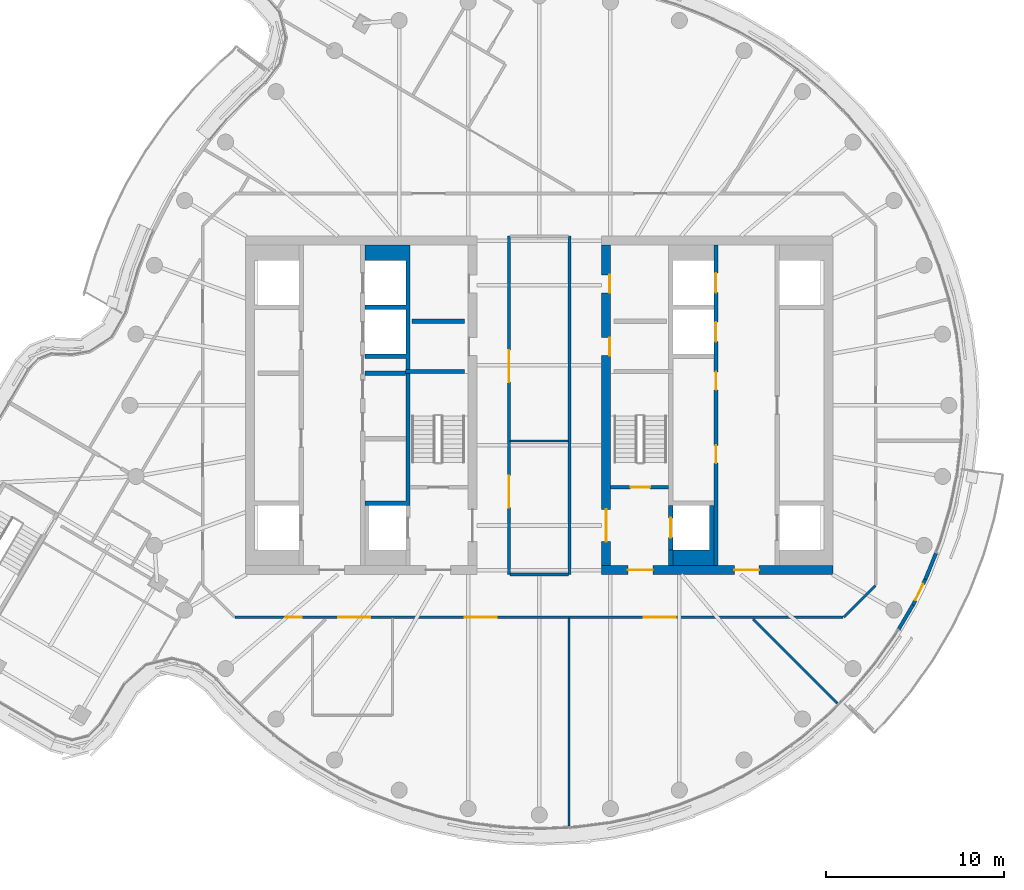
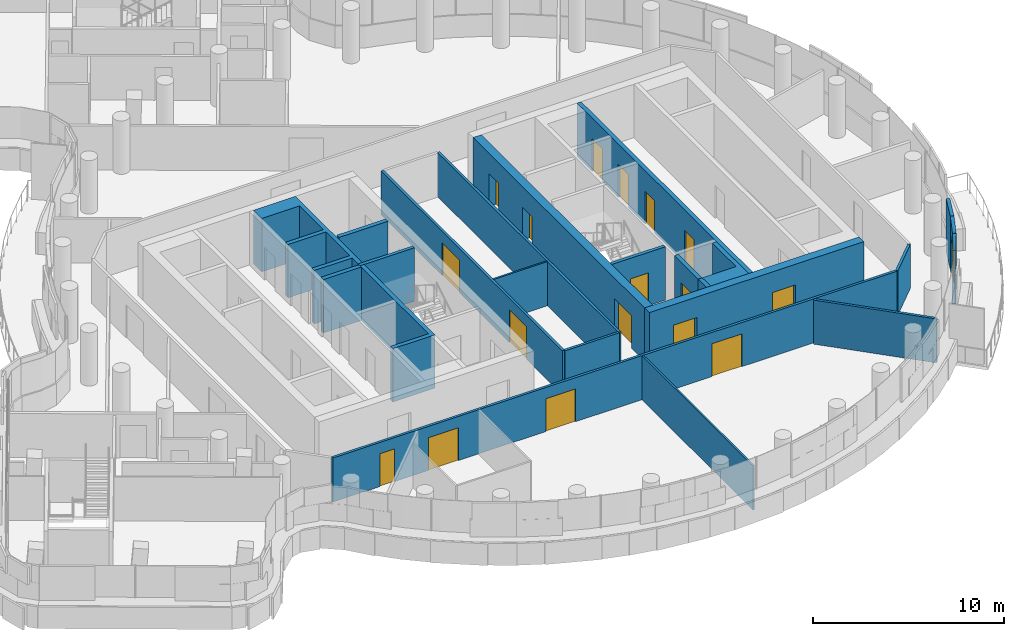
# One storey, part 18 of 26: 22 walls, 18 doors, 18 openings.
"""IFC4 building model written with IfcOpenShell, lengths in metres."""

from ifc_helpers import new_model, si_unit, direction, frame, frame_2d, origin, place, context, subcontext, project, spatial, polyline, rectangle, outline, extrude, material, layer, layer_set, type_object, element, fill, save


model = new_model("IFC4")

# Units and contexts
model_context = context("Model", 3, precision=1e-05, world=origin(), true_north=direction((0.0, 1.0)))
body_context = subcontext(model_context, "Body", "Model", "MODEL_VIEW")
ifc_project = project(units=[si_unit("LENGTHUNIT", "METRE"), si_unit("AREAUNIT", "SQUARE_METRE"), si_unit("VOLUMEUNIT", "CUBIC_METRE"), si_unit("PLANEANGLEUNIT", "RADIAN"), si_unit("MASSUNIT", "GRAM", prefix="KILO")], contexts=[model_context])

# Site, building, storey
site_placement = place(None, origin())
site = spatial("IfcSite", under=ifc_project, at=site_placement, CompositionType="ELEMENT")
building_placement = place(site_placement, origin())
building = spatial("IfcBuilding", under=site, at=building_placement, Name="Tamarind Cross Interchange Tower", CompositionType="ELEMENT")
storey_placement = place(building_placement, frame((0.0, 0.0, 248.699951171875)))
storey = spatial("IfcBuildingStorey", under=building, at=storey_placement, Name="L63", CompositionType="ELEMENT", Elevation=248.699951171875)

# Walls
ifc_material_1 = material(Name="Concrete C40", Category="concrete")
ifc_layer_1 = layer(ifc_material_1, 0.199951171875)
ifc_layer_set_1 = layer_set([ifc_layer_1], Name="Concrete C40")
wall_type_1 = type_object("IfcWallType", Name="Balcony and garden door wall", PredefinedType="SOLIDWALL", material=ifc_layer_set_1)
wall_1_placement = place(storey_placement, frame((20.182861328125, -12.580322265625, 0.0), z_axis=(0.0, 0.0, 1.0), x_axis=(0.50690596754, 0.86200135735, 0.0)))
element("IfcWall", 1, at=wall_1_placement, inside=storey, type_object=wall_type_1, Name="EXW-L63-01-D11L", PredefinedType="SOLIDWALL", context=body_context, shape_type="SweptSolid", body=[
    extrude(rectangle(XDim=1.5888671875, YDim=0.199951171875, at=frame_2d((0.79443359375, 0.0))), origin(), (0.0, 0.0, 1.0), 3.420166015625),
])
wall_2_placement = place(storey_placement, frame((21.684814453125, -9.770263671875, 0.0), z_axis=(0.0, 0.0, 1.0), x_axis=(0.375865678764, 0.92667415607, 0.0)))
element("IfcWall", 2, at=wall_2_placement, inside=storey, type_object=wall_type_1, Name="EXW-L63-01-D11R", PredefinedType="SOLIDWALL", context=body_context, shape_type="SweptSolid", body=[
    extrude(rectangle(XDim=1.588134765625, YDim=0.199951171875, at=frame_2d((0.7939453125, 0.0))), origin(), (0.0, 0.0, 1.0), 3.420166015625),
])

# Wall, opening, door
wall_3_placement = place(storey_placement, frame((20.98828125, -11.210693359375, 0.0), z_axis=(0.0, 0.0, 1.0), x_axis=(0.435333576099, 0.900269225021, 0.0)))
wall_3 = element("IfcWall", 3, at=wall_3_placement, inside=storey, type_object=wall_type_1, Name="EXW-L63-01-D11", PredefinedType="SOLIDWALL", context=body_context, shape_type="SweptSolid", body=[
    extrude(rectangle(XDim=1.60009765625, YDim=0.199951171875, at=frame_2d((0.800048828125, 0.0))), origin(), (0.0, 0.0, 1.0), 3.420166015625),
])
opening_1_placement = place(wall_3_placement, frame((0.300048828125, 0.0, 0.0)))
opening_1 = element("IfcOpeningElement", 4, at=opening_1_placement, cuts=wall_3, Name="Opening D2", PredefinedType="OPENING", context=body_context, shape_type="SweptSolid", body=[
    extrude(rectangle(XDim=1.0, YDim=2.39990234375, at=frame_2d((0.5, 1.199951171875))), frame((0.0, 0.10986328125, 0.0), z_axis=(0.0, -1.0, 0.0), x_axis=(1.0, 0.0, 0.0)), (0.0, 0.0, 1.0), 0.219970703125),
])
ifc_material_2 = material(Name="Aluminium and toughened glass", Category="aluminium")
door_type_1 = type_object("IfcDoorType", Name="Balcony and garden door", OperationType="SINGLE_SWING_LEFT", PredefinedType="DOOR", material=ifc_material_2)
door_1_placement = place(opening_1_placement, origin())
door_1 = element("IfcDoor", 5, at=door_1_placement, inside=storey, type_object=door_type_1, Name="DOR-L63-01-11", OperationType="SINGLE_SWING_LEFT", OverallHeight=2.39990234375, OverallWidth=1.0, PredefinedType="DOOR", context=body_context, shape_type="SweptSolid", body=[
    extrude(rectangle(XDim=1.0, YDim=2.39990234375, at=frame_2d((0.5, 1.199951171875))), frame((0.0, 0.02490234375, 0.0), z_axis=(0.0, -1.0, 0.0), x_axis=(1.0, 0.0, 0.0)), (0.0, 0.0, 1.0), 0.050048828125),
])
fill(opening_1, door_1)

# Wall, openings, doors
ifc_material_3 = material(Name="Concrete C50", Category="concrete")
ifc_layer_2 = layer(ifc_material_3, 0.5)
ifc_layer_set_2 = layer_set([ifc_layer_2], Name="Concrete C50")
wall_type_2 = type_object("IfcWallType", Name="Core wall 500 mm Concrete C50", PredefinedType="SHEAR", material=ifc_layer_set_2)
wall_4_placement = place(storey_placement, frame((16.5, -9.25, 0.0), z_axis=(0.0, 0.0, 1.0), x_axis=(-1.0, 0.0, 0.0)))
wall_4 = element("IfcWall", 6, at=wall_4_placement, inside=storey, type_object=wall_type_2, Name="Core wall CWL-L63-E-S", PredefinedType="SHEAR", context=body_context, shape_type="SweptSolid", body=[
    extrude(rectangle(XDim=13.0, YDim=0.5, at=frame_2d((6.5, 0.0))), origin(), (0.0, 0.0, 1.0), 3.420166015625),
])
opening_2_placement = place(wall_4_placement, frame((4.14990234375, 0.0, 0.0)))
opening_2 = element("IfcOpeningElement", 7, at=opening_2_placement, cuts=wall_4, Name="Opening DCE1", PredefinedType="OPENING", context=body_context, shape_type="SweptSolid", body=[
    extrude(rectangle(XDim=1.39990234375, YDim=2.10009765625, at=frame_2d((0.699951171875, 1.050048828125))), frame((0.0, 0.260009765625, 0.0), z_axis=(0.0, -1.0, 0.0), x_axis=(1.0, 0.0, 0.0)), (0.0, 0.0, 1.0), 0.52001953125),
])
opening_3_placement = place(wall_4_placement, frame((10.125, 0.0, 0.0)))
opening_3 = element("IfcOpeningElement", 8, at=opening_3_placement, cuts=wall_4, Name="Opening DCEF", PredefinedType="OPENING", context=body_context, shape_type="SweptSolid", body=[
    extrude(rectangle(XDim=1.39990234375, YDim=2.10009765625, at=frame_2d((0.699951171875, 1.050048828125))), frame((0.0, 0.260009765625, 0.0), z_axis=(0.0, -1.0, 0.0), x_axis=(1.0, 0.0, 0.0)), (0.0, 0.0, 1.0), 0.52001953125),
])
ifc_material_4 = material(Name="Steel, fire-resisting", Category="steel")
door_type_2 = type_object("IfcDoorType", Name="Core fire door 1400 x 2100 FD90", OperationType="SINGLE_SWING_LEFT", PredefinedType="DOOR", material=ifc_material_4)
door_2_placement = place(opening_2_placement, origin())
door_2 = element("IfcDoor", 9, at=door_2_placement, inside=storey, type_object=door_type_2, Name="L63 lift lobby door", OperationType="SINGLE_SWING_LEFT", OverallHeight=2.10009765625, OverallWidth=1.39990234375, PredefinedType="DOOR", context=body_context, shape_type="SweptSolid", body=[
    extrude(rectangle(XDim=1.39990234375, YDim=2.10009765625, at=frame_2d((0.699951171875, 1.050048828125))), frame((0.0, 0.02490234375, 0.0), z_axis=(0.0, -1.0, 0.0), x_axis=(1.0, 0.0, 0.0)), (0.0, 0.0, 1.0), 0.050048828125),
])
fill(opening_2, door_2)
door_3_placement = place(opening_3_placement, origin())
door_3 = element("IfcDoor", 10, at=door_3_placement, inside=storey, type_object=door_type_2, Name="L63 firefighting lobby end door", OperationType="SINGLE_SWING_LEFT", OverallHeight=2.10009765625, OverallWidth=1.39990234375, PredefinedType="DOOR", context=body_context, shape_type="SweptSolid", body=[
    extrude(rectangle(XDim=1.39990234375, YDim=2.10009765625, at=frame_2d((0.699951171875, 1.050048828125))), frame((0.0, 0.02490234375, 0.0), z_axis=(0.0, -1.0, 0.0), x_axis=(1.0, 0.0, 0.0)), (0.0, 0.0, 1.0), 0.050048828125),
])
fill(opening_3, door_3)

wall_5_placement = place(storey_placement, frame((3.75, -9.0, 0.0), z_axis=(0.0, 0.0, 1.0), x_axis=(0.0, 1.0, 0.0)))
wall_5 = element("IfcWall", 11, at=wall_5_placement, inside=storey, type_object=wall_type_2, Name="Core wall CWL-L63-E-IN", PredefinedType="SHEAR", context=body_context, shape_type="SweptSolid", body=[
    extrude(rectangle(XDim=18.0, YDim=0.5, at=frame_2d((9.0, 0.0))), origin(), (0.0, 0.0, 1.0), 3.420166015625),
])
opening_4_placement = place(wall_5_placement, frame((1.35009765625, 0.0, 0.0)))
opening_4 = element("IfcOpeningElement", 12, at=opening_4_placement, cuts=wall_5, Name="Opening DCE4", PredefinedType="OPENING", context=body_context, shape_type="SweptSolid", body=[
    extrude(rectangle(XDim=1.800048828125, YDim=2.10009765625, at=frame_2d((0.89990234375, 1.050048828125))), frame((0.0, 0.260009765625, 0.0), z_axis=(0.0, -1.0, 0.0), x_axis=(1.0, 0.0, 0.0)), (0.0, 0.0, 1.0), 0.52001953125),
])
opening_5_placement = place(wall_5_placement, frame((11.797607421875, 0.0, 0.0)))
opening_5 = element("IfcOpeningElement", 13, at=opening_5_placement, cuts=wall_5, Name="Opening DCE5", PredefinedType="OPENING", context=body_context, shape_type="SweptSolid", body=[
    extrude(rectangle(XDim=1.0, YDim=2.10009765625, at=frame_2d((0.5, 1.050048828125))), frame((0.0, 0.260009765625, 0.0), z_axis=(0.0, -1.0, 0.0), x_axis=(1.0, 0.0, 0.0)), (0.0, 0.0, 1.0), 0.52001953125),
])
opening_6_placement = place(wall_5_placement, frame((15.322509765625, 0.0, 0.0)))
opening_6 = element("IfcOpeningElement", 14, at=opening_6_placement, cuts=wall_5, Name="Opening DCE5", PredefinedType="OPENING", context=body_context, shape_type="SweptSolid", body=[
    extrude(rectangle(XDim=1.0, YDim=2.10009765625, at=frame_2d((0.5, 1.050048828125))), frame((0.0, 0.260009765625, 0.0), z_axis=(0.0, -1.0, 0.0), x_axis=(1.0, 0.0, 0.0)), (0.0, 0.0, 1.0), 0.52001953125),
])
door_type_3 = type_object("IfcDoorType", Name="Core fire door 1000 x 2100 FD90", OperationType="SINGLE_SWING_LEFT", PredefinedType="DOOR", material=ifc_material_4)
door_4_placement = place(opening_5_placement, origin())
door_4 = element("IfcDoor", 15, at=door_4_placement, inside=storey, type_object=door_type_3, Name="L63 linen press door", OperationType="SINGLE_SWING_LEFT", OverallHeight=2.10009765625, OverallWidth=1.0, PredefinedType="DOOR", context=body_context, shape_type="SweptSolid", body=[
    extrude(rectangle(XDim=1.0, YDim=2.10009765625, at=frame_2d((0.5, 1.050048828125))), frame((0.0, -0.1748046875, 0.0), z_axis=(0.0, -1.0, 0.0), x_axis=(1.0, 0.0, 0.0)), (0.0, 0.0, 1.0), 0.050048828125),
])
fill(opening_5, door_4)
door_5_placement = place(opening_6_placement, origin())
door_5 = element("IfcDoor", 16, at=door_5_placement, inside=storey, type_object=door_type_3, Name="L63 housekeeping pantry door", OperationType="SINGLE_SWING_LEFT", OverallHeight=2.10009765625, OverallWidth=1.0, PredefinedType="DOOR", context=body_context, shape_type="SweptSolid", body=[
    extrude(rectangle(XDim=1.0, YDim=2.10009765625, at=frame_2d((0.5, 1.050048828125))), frame((0.0, -0.1748046875, 0.0), z_axis=(0.0, -1.0, 0.0), x_axis=(1.0, 0.0, 0.0)), (0.0, 0.0, 1.0), 0.050048828125),
])
fill(opening_6, door_5)
door_type_4 = type_object("IfcDoorType", Name="Core fire door 1800 x 2100 FD90", OperationType="SINGLE_SWING_LEFT", PredefinedType="DOOR", material=ifc_material_4)
door_6_placement = place(opening_4_placement, origin())
door_6 = element("IfcDoor", 17, at=door_6_placement, inside=storey, type_object=door_type_4, Name="L63 firefighting lobby door", OperationType="SINGLE_SWING_LEFT", OverallHeight=2.10009765625, OverallWidth=1.800048828125, PredefinedType="DOOR", context=body_context, shape_type="SweptSolid", body=[
    extrude(rectangle(XDim=1.800048828125, YDim=2.10009765625, at=frame_2d((0.89990234375, 1.050048828125))), frame((0.0, 0.02490234375, 0.0), z_axis=(0.0, -1.0, 0.0), x_axis=(1.0, 0.0, 0.0)), (0.0, 0.0, 1.0), 0.050048828125),
])
fill(opening_4, door_6)

# Walls
ifc_layer_3 = layer(ifc_material_3, 0.199951171875)
ifc_layer_set_3 = layer_set([ifc_layer_3], Name="Concrete C50")
wall_type_3 = type_object("IfcWallType", Name="Core web wall 200 mm Concrete C50", PredefinedType="SHEAR", material=ifc_layer_set_3)
wall_6_placement = place(storey_placement, frame((-7.5, 1.89990234375, 0.0), z_axis=(0.0, 0.0, 1.0), x_axis=(1.0, 0.0, 0.0)))
element("IfcWall", 18, at=wall_6_placement, inside=storey, type_object=wall_type_3, Name="Core wall CWL-L63-W-BD", PredefinedType="SHEAR", context=body_context, shape_type="SweptSolid", body=[
    extrude(rectangle(XDim=3.300048828125, YDim=0.199951171875, at=frame_2d((1.64990234375, 0.0))), origin(), (0.0, 0.0, 1.0), 3.420166015625),
])
ifc_layer_4 = layer(ifc_material_3, 0.25)
ifc_layer_set_4 = layer_set([ifc_layer_4], Name="Concrete C50")
wall_type_4 = type_object("IfcWallType", Name="Core web wall 250 mm Concrete C50", PredefinedType="SHEAR", material=ifc_layer_set_4)
wall_7_placement = place(storey_placement, origin())
element("IfcWall", 19, at=wall_7_placement, inside=storey, type_object=wall_type_4, Name="Core wall CWL-L63-W-BN", PredefinedType="SHEAR", context=body_context, shape_type="SweptSolid", body=[
    extrude(outline(polyline([(-9.800048828125, -5.375), (-9.800048828125, -5.625), (-7.5, -5.625), (-7.25, -5.625), (-7.25, 9.0), (-7.5, 9.0), (-9.800048828125, 9.0), (-9.800048828125, 8.125), (-7.5, 8.125), (-7.5, 5.625), (-9.800048828125, 5.625), (-9.800048828125, 5.375), (-7.5, 5.375), (-7.5, 2.875), (-9.800048828125, 2.875), (-9.800048828125, 2.625), (-7.5, 2.625), (-7.5, -5.375), (-9.800048828125, -5.375)])), origin(), (0.0, 0.0, 1.0), 3.420166015625),
])
wall_8_placement = place(storey_placement, origin())
element("IfcWall", 20, at=wall_8_placement, inside=storey, type_object=wall_type_4, Name="Core wall CWL-L63-E-BS", PredefinedType="SHEAR", context=body_context, shape_type="SweptSolid", body=[
    extrude(outline(polyline([(7.5, -8.125), (7.5, -9.0), (9.800048828125, -9.0), (9.800048828125, -8.125), (9.800048828125, -5.625), (9.550048828125, -5.625), (9.550048828125, -8.125), (7.5, -8.125)])), origin(), (0.0, 0.0, 1.0), 3.420166015625),
])
wall_9_placement = place(storey_placement, frame((7.375, -9.0, 0.0), z_axis=(0.0, 0.0, 1.0), x_axis=(0.0, 1.0, 0.0)))
element("IfcWall", 21, at=wall_9_placement, inside=storey, type_object=wall_type_4, Name="Core wall CWL-L63-E-BW", PredefinedType="SHEAR", context=body_context, shape_type="SweptSolid", body=[
    extrude(rectangle(XDim=0.875, YDim=0.25, at=frame_2d((0.4375, 0.0))), origin(), (0.0, 0.0, 1.0), 3.420166015625),
])

# Wall, openings, doors
wall_10_placement = place(storey_placement, frame((9.925048828125, -9.0, 0.0), z_axis=(0.0, 0.0, 1.0), x_axis=(0.0, 1.0, 0.0)))
wall_10 = element("IfcWall", 22, at=wall_10_placement, inside=storey, type_object=wall_type_4, Name="Core wall CWL-L63-E-LB", PredefinedType="SHEAR", context=body_context, shape_type="SweptSolid", body=[
    extrude(rectangle(XDim=18.0, YDim=0.25, at=frame_2d((9.0, 0.0))), origin(), (0.0, 0.0, 1.0), 3.420166015625),
])
opening_7_placement = place(wall_10_placement, frame((12.574951171875, 0.0, 0.0)))
opening_7 = element("IfcOpeningElement", 23, at=opening_7_placement, cuts=wall_10, Name="Opening LD23L63", PredefinedType="OPENING", context=body_context, shape_type="SweptSolid", body=[
    extrude(rectangle(XDim=1.10009765625, YDim=2.10009765625, at=frame_2d((0.550048828125, 1.050048828125))), frame((0.0, 0.135009765625, 0.0), z_axis=(0.0, -1.0, 0.0), x_axis=(1.0, 0.0, 0.0)), (0.0, 0.0, 1.0), 0.27001953125),
])
opening_8_placement = place(wall_10_placement, frame((15.324951171875, 0.0, 0.0)))
opening_8 = element("IfcOpeningElement", 24, at=opening_8_placement, cuts=wall_10, Name="Opening LD24L63", PredefinedType="OPENING", context=body_context, shape_type="SweptSolid", body=[
    extrude(rectangle(XDim=1.10009765625, YDim=2.10009765625, at=frame_2d((0.550048828125, 1.050048828125))), frame((0.0, 0.135009765625, 0.0), z_axis=(0.0, -1.0, 0.0), x_axis=(1.0, 0.0, 0.0)), (0.0, 0.0, 1.0), 0.27001953125),
])
opening_9_placement = place(wall_10_placement, frame((5.75, 0.0, 0.0)))
opening_9 = element("IfcOpeningElement", 25, at=opening_9_placement, cuts=wall_10, Name="Opening DCE21", PredefinedType="OPENING", context=body_context, shape_type="SweptSolid", body=[
    extrude(rectangle(XDim=1.0, YDim=2.10009765625, at=frame_2d((0.5, 1.050048828125))), frame((0.0, 0.135009765625, 0.0), z_axis=(0.0, -1.0, 0.0), x_axis=(1.0, 0.0, 0.0)), (0.0, 0.0, 1.0), 0.27001953125),
])
opening_10_placement = place(wall_10_placement, frame((9.875, 0.0, 0.0)))
opening_10 = element("IfcOpeningElement", 26, at=opening_10_placement, cuts=wall_10, Name="Opening DCE21", PredefinedType="OPENING", context=body_context, shape_type="SweptSolid", body=[
    extrude(rectangle(XDim=1.0, YDim=2.10009765625, at=frame_2d((0.5, 1.050048828125))), frame((0.0, 0.135009765625, 0.0), z_axis=(0.0, -1.0, 0.0), x_axis=(1.0, 0.0, 0.0)), (0.0, 0.0, 1.0), 0.27001953125),
])
door_7_placement = place(opening_9_placement, origin())
door_7 = element("IfcDoor", 27, at=door_7_placement, inside=storey, type_object=door_type_3, Name="L63 Guest laundry door", OperationType="SINGLE_SWING_LEFT", OverallHeight=2.10009765625, OverallWidth=1.0, PredefinedType="DOOR", context=body_context, shape_type="SweptSolid", body=[
    extrude(rectangle(XDim=1.0, YDim=2.10009765625, at=frame_2d((0.5, 1.050048828125))), frame((0.0, 0.02490234375, 0.0), z_axis=(0.0, -1.0, 0.0), x_axis=(1.0, 0.0, 0.0)), (0.0, 0.0, 1.0), 0.050048828125),
])
fill(opening_9, door_7)
door_8_placement = place(opening_10_placement, origin())
door_8 = element("IfcDoor", 28, at=door_8_placement, inside=storey, type_object=door_type_3, Name="L63 Guest laundry door", OperationType="SINGLE_SWING_LEFT", OverallHeight=2.10009765625, OverallWidth=1.0, PredefinedType="DOOR", context=body_context, shape_type="SweptSolid", body=[
    extrude(rectangle(XDim=1.0, YDim=2.10009765625, at=frame_2d((0.5, 1.050048828125))), frame((0.0, 0.02490234375, 0.0), z_axis=(0.0, -1.0, 0.0), x_axis=(1.0, 0.0, 0.0)), (0.0, 0.0, 1.0), 0.050048828125),
])
fill(opening_10, door_8)
ifc_material_5 = material(Name="Stainless steel panel", Category="steel")
door_type_5 = type_object("IfcDoorType", Name="Lift landing door 1100 x 2100 E 120", OperationType="SLIDING_TO_LEFT", PredefinedType="DOOR", material=ifc_material_5)
door_9_placement = place(opening_7_placement, origin())
door_9 = element("IfcDoor", 29, at=door_9_placement, inside=storey, type_object=door_type_5, Name="L63 landing door LF23", OperationType="SLIDING_TO_LEFT", OverallHeight=2.10009765625, OverallWidth=1.10009765625, PredefinedType="DOOR", context=body_context, shape_type="SweptSolid", body=[
    extrude(rectangle(XDim=1.10009765625, YDim=2.10009765625, at=frame_2d((0.550048828125, 1.050048828125))), frame((0.0, 0.02490234375, 0.0), z_axis=(0.0, -1.0, 0.0), x_axis=(1.0, 0.0, 0.0)), (0.0, 0.0, 1.0), 0.050048828125),
])
fill(opening_7, door_9)
door_10_placement = place(opening_8_placement, origin())
door_10 = element("IfcDoor", 30, at=door_10_placement, inside=storey, type_object=door_type_5, Name="L63 landing door LF24", OperationType="SLIDING_TO_LEFT", OverallHeight=2.10009765625, OverallWidth=1.10009765625, PredefinedType="DOOR", context=body_context, shape_type="SweptSolid", body=[
    extrude(rectangle(XDim=1.10009765625, YDim=2.10009765625, at=frame_2d((0.550048828125, 1.050048828125))), frame((0.0, 0.02490234375, 0.0), z_axis=(0.0, -1.0, 0.0), x_axis=(1.0, 0.0, 0.0)), (0.0, 0.0, 1.0), 0.050048828125),
])
fill(opening_8, door_10)

# Wall, opening, door
wall_11_placement = place(storey_placement, frame((7.375, -8.125, 0.0), z_axis=(0.0, 0.0, 1.0), x_axis=(0.0, 1.0, 0.0)))
wall_11 = element("IfcWall", 31, at=wall_11_placement, inside=storey, type_object=wall_type_4, Name="Core wall CWL-L63-E-FF", PredefinedType="SHEAR", context=body_context, shape_type="SweptSolid", body=[
    extrude(rectangle(XDim=2.5, YDim=0.25, at=frame_2d((1.25, 0.0))), origin(), (0.0, 0.0, 1.0), 3.420166015625),
])
opening_11_placement = place(wall_11_placement, frame((0.699951171875, 0.0, 0.0)))
opening_11 = element("IfcOpeningElement", 32, at=opening_11_placement, cuts=wall_11, Name="Opening LD19L63", PredefinedType="OPENING", context=body_context, shape_type="SweptSolid", body=[
    extrude(rectangle(XDim=1.10009765625, YDim=2.10009765625, at=frame_2d((0.550048828125, 1.050048828125))), frame((0.0, 0.135009765625, 0.0), z_axis=(0.0, -1.0, 0.0), x_axis=(1.0, 0.0, 0.0)), (0.0, 0.0, 1.0), 0.27001953125),
])
door_11_placement = place(opening_11_placement, origin())
door_11 = element("IfcDoor", 33, at=door_11_placement, inside=storey, type_object=door_type_5, Name="L63 landing door LF19", OperationType="SLIDING_TO_LEFT", OverallHeight=2.10009765625, OverallWidth=1.10009765625, PredefinedType="DOOR", context=body_context, shape_type="SweptSolid", body=[
    extrude(rectangle(XDim=1.10009765625, YDim=2.10009765625, at=frame_2d((0.550048828125, 1.050048828125))), frame((0.0, 0.02490234375, 0.0), z_axis=(0.0, -1.0, 0.0), x_axis=(1.0, 0.0, 0.0)), (0.0, 0.0, 1.0), 0.050048828125),
])
fill(opening_11, door_11)

# Walls
ifc_material_6 = material(Name="Gypsum board partition on steel studs", Category="steel")
ifc_layer_5 = layer(ifc_material_6, 0.10009765625)
ifc_layer_set_5 = layer_set([ifc_layer_5], Name="Gypsum board partition on steel studs")
wall_type_5 = type_object("IfcWallType", Name="Partition 100 mm EI 120", PredefinedType="PARTITIONING", material=ifc_layer_set_5)
wall_12_placement = place(storey_placement, frame((-1.639892578125, -2.0, 0.0), z_axis=(0.0, 0.0, 1.0), x_axis=(1.0, 0.0, 0.0)))
element("IfcWall", 34, at=wall_12_placement, inside=storey, type_object=wall_type_5, Name="Partition L63-027", PredefinedType="PARTITIONING", context=body_context, shape_type="SweptSolid", body=[
    extrude(rectangle(XDim=3.27978515625, YDim=0.10009765625, at=frame_2d((1.639892578125, 0.0))), origin(), (0.0, 0.0, 1.0), 2.823974609375),
])
ifc_layer_6 = layer(ifc_material_6, 0.10009765625)
ifc_layer_set_6 = layer_set([ifc_layer_6], Name="Gypsum board partition on steel studs")
wall_type_6 = type_object("IfcWallType", Name="Partition 100 mm EI 90", PredefinedType="PARTITIONING", material=ifc_layer_set_6)
wall_13_placement = place(storey_placement, frame((1.674072265625, -23.622802734375, 0.0), z_axis=(0.0, 0.0, 1.0), x_axis=(0.0, 1.0, 0.0)))
element("IfcWall", 35, at=wall_13_placement, inside=storey, type_object=wall_type_6, Name="Partition L63-055", PredefinedType="PARTITIONING", context=body_context, shape_type="SweptSolid", body=[
    extrude(rectangle(XDim=11.667724609375, YDim=0.10009765625, at=frame_2d((5.833984375, 0.0))), origin(), (0.0, 0.0, 1.0), 2.823974609375),
])
ifc_layer_7 = layer(ifc_material_6, 0.14990234375)
ifc_layer_set_7 = layer_set([ifc_layer_7], Name="Gypsum board partition on steel studs")
wall_type_7 = type_object("IfcWallType", Name="Partition 150 mm EI 120", PredefinedType="PARTITIONING", material=ifc_layer_set_7)
wall_14_placement = place(storey_placement, frame((12.009521484375, -12.009521484375, 0.0), z_axis=(0.0, 0.0, 1.0), x_axis=(0.707106781187, -0.707106781187, 0.0)))
element("IfcWall", 36, at=wall_14_placement, inside=storey, type_object=wall_type_7, Name="Partition L63-002", PredefinedType="PARTITIONING", context=body_context, shape_type="SweptSolid", body=[
    extrude(rectangle(XDim=6.690673828125, YDim=0.14990234375, at=frame_2d((3.34521484375, 0.0))), origin(), (0.0, 0.0, 1.0), 2.823974609375),
])

# Wall, openings, doors
wall_15_placement = place(storey_placement, frame((-17.10009765625, -11.89990234375, 0.0), z_axis=(0.0, 0.0, 1.0), x_axis=(1.0, 0.0, 0.0)))
wall_15 = element("IfcWall", 37, at=wall_15_placement, inside=storey, type_object=wall_type_7, Name="Partition L63-023", PredefinedType="PARTITIONING", context=body_context, shape_type="SweptSolid", body=[
    extrude(rectangle(XDim=34.1650390625, YDim=0.14990234375, at=frame_2d((17.08251953125, 0.0))), origin(), (0.0, 0.0, 1.0), 2.823974609375),
])
opening_12_placement = place(wall_15_placement, frame((5.800048828125, 0.0, 0.0)))
opening_12 = element("IfcOpeningElement", 38, at=opening_12_placement, cuts=wall_15, Name="Opening D07", PredefinedType="OPENING", context=body_context, shape_type="SweptSolid", body=[
    extrude(rectangle(XDim=1.800048828125, YDim=2.10009765625, at=frame_2d((0.89990234375, 1.050048828125))), frame((0.0, 0.0849609375, 0.0), z_axis=(0.0, -1.0, 0.0), x_axis=(1.0, 0.0, 0.0)), (0.0, 0.0, 1.0), 0.169921875),
])
opening_13_placement = place(wall_15_placement, frame((12.908935546875, 0.0, 0.0)))
opening_13 = element("IfcOpeningElement", 39, at=opening_13_placement, cuts=wall_15, Name="Opening D08", PredefinedType="OPENING", context=body_context, shape_type="SweptSolid", body=[
    extrude(rectangle(XDim=1.800048828125, YDim=2.10009765625, at=frame_2d((0.89990234375, 1.050048828125))), frame((0.0, 0.0849609375, 0.0), z_axis=(0.0, -1.0, 0.0), x_axis=(1.0, 0.0, 0.0)), (0.0, 0.0, 1.0), 0.169921875),
])
opening_14_placement = place(wall_15_placement, frame((22.97412109375, 0.0, 0.0)))
opening_14 = element("IfcOpeningElement", 40, at=opening_14_placement, cuts=wall_15, Name="Opening D09", PredefinedType="OPENING", context=body_context, shape_type="SweptSolid", body=[
    extrude(rectangle(XDim=1.800048828125, YDim=2.10009765625, at=frame_2d((0.89990234375, 1.050048828125))), frame((0.0, 0.0849609375, 0.0), z_axis=(0.0, -1.0, 0.0), x_axis=(1.0, 0.0, 0.0)), (0.0, 0.0, 1.0), 0.169921875),
])
opening_15_placement = place(wall_15_placement, frame((2.85009765625, 0.0, 0.0)))
opening_15 = element("IfcOpeningElement", 41, at=opening_15_placement, cuts=wall_15, Name="Opening D10", PredefinedType="OPENING", context=body_context, shape_type="SweptSolid", body=[
    extrude(rectangle(XDim=0.89990234375, YDim=2.10009765625, at=frame_2d((0.449951171875, 1.050048828125))), frame((0.0, 0.0849609375, 0.0), z_axis=(0.0, -1.0, 0.0), x_axis=(1.0, 0.0, 0.0)), (0.0, 0.0, 1.0), 0.169921875),
])
ifc_material_7 = material(Name="Fire-resisting door set")
door_type_6 = type_object("IfcDoorType", Name="Interior door 1800 x 2100 FD60S", OperationType="DOUBLE_DOOR_SINGLE_SWING", PredefinedType="DOOR", material=ifc_material_7)
door_12_placement = place(opening_12_placement, frame((1.800048828125, 0.0, 0.0), z_axis=(0.0, 0.0, 1.0), x_axis=(-1.0, 0.0, 0.0)))
door_12 = element("IfcDoor", 42, at=door_12_placement, inside=storey, type_object=door_type_6, Name="Door D07", OperationType="DOUBLE_DOOR_SINGLE_SWING", OverallHeight=2.10009765625, OverallWidth=1.800048828125, PredefinedType="DOOR", context=body_context, shape_type="SweptSolid", body=[
    extrude(rectangle(XDim=1.800048828125, YDim=2.10009765625, at=frame_2d((0.89990234375, 1.050048828125))), frame((0.0, 0.02490234375, 0.0), z_axis=(0.0, -1.0, 0.0), x_axis=(1.0, 0.0, 0.0)), (0.0, 0.0, 1.0), 0.050048828125),
])
fill(opening_12, door_12)
door_13_placement = place(opening_13_placement, frame((1.800048828125, 0.0, 0.0), z_axis=(0.0, 0.0, 1.0), x_axis=(-1.0, 0.0, 0.0)))
door_13 = element("IfcDoor", 43, at=door_13_placement, inside=storey, type_object=door_type_6, Name="Door D08", OperationType="DOUBLE_DOOR_SINGLE_SWING", OverallHeight=2.10009765625, OverallWidth=1.800048828125, PredefinedType="DOOR", context=body_context, shape_type="SweptSolid", body=[
    extrude(rectangle(XDim=1.800048828125, YDim=2.10009765625, at=frame_2d((0.89990234375, 1.050048828125))), frame((0.0, 0.02490234375, 0.0), z_axis=(0.0, -1.0, 0.0), x_axis=(1.0, 0.0, 0.0)), (0.0, 0.0, 1.0), 0.050048828125),
])
fill(opening_13, door_13)
door_14_placement = place(opening_14_placement, frame((1.800048828125, 0.0, 0.0), z_axis=(0.0, 0.0, 1.0), x_axis=(-1.0, 0.0, 0.0)))
door_14 = element("IfcDoor", 44, at=door_14_placement, inside=storey, type_object=door_type_6, Name="Door D09", OperationType="DOUBLE_DOOR_SINGLE_SWING", OverallHeight=2.10009765625, OverallWidth=1.800048828125, PredefinedType="DOOR", context=body_context, shape_type="SweptSolid", body=[
    extrude(rectangle(XDim=1.800048828125, YDim=2.10009765625, at=frame_2d((0.89990234375, 1.050048828125))), frame((0.0, 0.02490234375, 0.0), z_axis=(0.0, -1.0, 0.0), x_axis=(1.0, 0.0, 0.0)), (0.0, 0.0, 1.0), 0.050048828125),
])
fill(opening_14, door_14)
door_type_7 = type_object("IfcDoorType", Name="Interior door 900 x 2100 FD60S", OperationType="SINGLE_SWING_LEFT", PredefinedType="DOOR", material=ifc_material_7)
door_15_placement = place(opening_15_placement, frame((0.89990234375, 0.0, 0.0), z_axis=(0.0, 0.0, 1.0), x_axis=(-1.0, 0.0, 0.0)))
door_15 = element("IfcDoor", 45, at=door_15_placement, inside=storey, type_object=door_type_7, Name="Door D10", OperationType="SINGLE_SWING_LEFT", OverallHeight=2.10009765625, OverallWidth=0.89990234375, PredefinedType="DOOR", context=body_context, shape_type="SweptSolid", body=[
    extrude(rectangle(XDim=0.89990234375, YDim=2.10009765625, at=frame_2d((0.449951171875, 1.050048828125))), frame((0.0, 0.02490234375, 0.0), z_axis=(0.0, -1.0, 0.0), x_axis=(1.0, 0.0, 0.0)), (0.0, 0.0, 1.0), 0.050048828125),
])
fill(opening_15, door_15)

# Walls
wall_16_placement = place(storey_placement, frame((-1.639892578125, -9.5, 0.0), z_axis=(0.0, 0.0, 1.0), x_axis=(1.0, 0.0, 0.0)))
element("IfcWall", 46, at=wall_16_placement, inside=storey, type_object=wall_type_7, Name="Partition L63-026", PredefinedType="PARTITIONING", context=body_context, shape_type="SweptSolid", body=[
    extrude(rectangle(XDim=3.27978515625, YDim=0.14990234375, at=frame_2d((1.639892578125, 0.0))), origin(), (0.0, 0.0, 1.0), 2.823974609375),
])
wall_17_placement = place(storey_placement, frame((17.10009765625, -11.89990234375, 0.0), z_axis=(0.0, 0.0, 1.0), x_axis=(0.707106781187, 0.707106781187, 0.0)))
element("IfcWall", 47, at=wall_17_placement, inside=storey, type_object=wall_type_7, Name="Partition L63-033", PredefinedType="PARTITIONING", context=body_context, shape_type="SweptSolid", body=[
    extrude(rectangle(XDim=2.50537109375, YDim=0.14990234375, at=frame_2d((1.252685546875, 0.0))), origin(), (0.0, 0.0, 1.0), 2.823974609375),
])

# Wall, openings, doors
wall_18_placement = place(storey_placement, frame((-1.699951171875, -9.5, 0.0), z_axis=(0.0, 0.0, 1.0), x_axis=(0.0, 1.0, 0.0)))
wall_18 = element("IfcWall", 48, at=wall_18_placement, inside=storey, type_object=wall_type_7, Name="Partition L63-054", PredefinedType="PARTITIONING", context=body_context, shape_type="SweptSolid", body=[
    extrude(rectangle(XDim=19.0, YDim=0.14990234375, at=frame_2d((9.5, 0.0))), origin(), (0.0, 0.0, 1.0), 2.823974609375),
])
opening_16_placement = place(wall_18_placement, frame((3.75, 0.0, 0.0)))
opening_16 = element("IfcOpeningElement", 49, at=opening_16_placement, cuts=wall_18, Name="Opening D25", PredefinedType="OPENING", context=body_context, shape_type="SweptSolid", body=[
    extrude(rectangle(XDim=1.800048828125, YDim=2.10009765625, at=frame_2d((0.89990234375, 1.050048828125))), frame((0.0, 0.0849609375, 0.0), z_axis=(0.0, -1.0, 0.0), x_axis=(1.0, 0.0, 0.0)), (0.0, 0.0, 1.0), 0.169921875),
])
opening_17_placement = place(wall_18_placement, frame((10.800048828125, 0.0, 0.0)))
opening_17 = element("IfcOpeningElement", 50, at=opening_17_placement, cuts=wall_18, Name="Opening D26", PredefinedType="OPENING", context=body_context, shape_type="SweptSolid", body=[
    extrude(rectangle(XDim=1.800048828125, YDim=2.10009765625, at=frame_2d((0.89990234375, 1.050048828125))), frame((0.0, 0.0849609375, 0.0), z_axis=(0.0, -1.0, 0.0), x_axis=(1.0, 0.0, 0.0)), (0.0, 0.0, 1.0), 0.169921875),
])
door_16_placement = place(opening_16_placement, frame((1.800048828125, 0.0, 0.0), z_axis=(0.0, 0.0, 1.0), x_axis=(-1.0, 0.0, 0.0)))
door_16 = element("IfcDoor", 51, at=door_16_placement, inside=storey, type_object=door_type_6, Name="Door D25", OperationType="DOUBLE_DOOR_SINGLE_SWING", OverallHeight=2.10009765625, OverallWidth=1.800048828125, PredefinedType="DOOR", context=body_context, shape_type="SweptSolid", body=[
    extrude(rectangle(XDim=1.800048828125, YDim=2.10009765625, at=frame_2d((0.89990234375, 1.050048828125))), frame((0.0, 0.02490234375, 0.0), z_axis=(0.0, -1.0, 0.0), x_axis=(1.0, 0.0, 0.0)), (0.0, 0.0, 1.0), 0.050048828125),
])
fill(opening_16, door_16)
door_17_placement = place(opening_17_placement, frame((1.800048828125, 0.0, 0.0), z_axis=(0.0, 0.0, 1.0), x_axis=(-1.0, 0.0, 0.0)))
door_17 = element("IfcDoor", 52, at=door_17_placement, inside=storey, type_object=door_type_6, Name="Door D26", OperationType="DOUBLE_DOOR_SINGLE_SWING", OverallHeight=2.10009765625, OverallWidth=1.800048828125, PredefinedType="DOOR", context=body_context, shape_type="SweptSolid", body=[
    extrude(rectangle(XDim=1.800048828125, YDim=2.10009765625, at=frame_2d((0.89990234375, 1.050048828125))), frame((0.0, 0.02490234375, 0.0), z_axis=(0.0, -1.0, 0.0), x_axis=(1.0, 0.0, 0.0)), (0.0, 0.0, 1.0), 0.050048828125),
])
fill(opening_17, door_17)

# Walls
wall_19_placement = place(storey_placement, frame((1.699951171875, -9.5, 0.0), z_axis=(0.0, 0.0, 1.0), x_axis=(0.0, 1.0, 0.0)))
element("IfcWall", 53, at=wall_19_placement, inside=storey, type_object=wall_type_7, Name="Partition L63-056", PredefinedType="PARTITIONING", context=body_context, shape_type="SweptSolid", body=[
    extrude(rectangle(XDim=19.0, YDim=0.14990234375, at=frame_2d((9.5, 0.0))), origin(), (0.0, 0.0, 1.0), 2.823974609375),
])
ifc_layer_8 = layer(ifc_material_1, 0.25)
ifc_layer_set_8 = layer_set([ifc_layer_8], Name="Concrete C40")
wall_type_8 = type_object("IfcWallType", Name="Shaft and lobby wall 250 mm Concrete C40", PredefinedType="PARTITIONING", material=ifc_layer_set_8)
wall_20_placement = place(storey_placement, frame((-7.14990234375, 4.719970703125, 0.0), z_axis=(0.0, 0.0, 1.0), x_axis=(1.0, 0.0, 0.0)))
element("IfcWall", 54, at=wall_20_placement, inside=storey, type_object=wall_type_8, Name="Shaft wall CWL-L63-W-SVP", PredefinedType="PARTITIONING", context=body_context, shape_type="SweptSolid", body=[
    extrude(rectangle(XDim=2.949951171875, YDim=0.25, at=frame_2d((1.47509765625, 0.0))), origin(), (0.0, 0.0, 1.0), 3.420166015625),
])
wall_21_placement = place(storey_placement, frame((-9.800048828125, 1.7919921875, 0.0), z_axis=(0.0, 0.0, 1.0), x_axis=(1.0, 0.0, 0.0)))
element("IfcWall", 55, at=wall_21_placement, inside=storey, type_object=wall_type_8, Name="Shaft wall CWL-L63-W-FPB3", PredefinedType="PARTITIONING", context=body_context, shape_type="SweptSolid", body=[
    extrude(rectangle(XDim=2.300048828125, YDim=0.25, at=frame_2d((1.14990234375, 0.0))), origin(), (0.0, 0.0, 1.0), 3.420166015625),
])

# Wall, opening, door
ifc_layer_9 = layer(ifc_material_1, 0.199951171875)
ifc_layer_set_9 = layer_set([ifc_layer_9], Name="Concrete C40")
wall_type_9 = type_object("IfcWallType", Name="Stair shaft wall 200 mm Concrete C40", PredefinedType="SHEAR", material=ifc_layer_set_9)
wall_22_placement = place(storey_placement, frame((7.25, -4.60009765625, 0.0), z_axis=(0.0, 0.0, 1.0), x_axis=(-1.0, 0.0, 0.0)))
wall_22 = element("IfcWall", 56, at=wall_22_placement, inside=storey, type_object=wall_type_9, Name="Core wall CWL-L63-E-SD", PredefinedType="SHEAR", context=body_context, shape_type="SweptSolid", body=[
    extrude(rectangle(XDim=3.25, YDim=0.199951171875, at=frame_2d((1.625, 0.0))), origin(), (0.0, 0.0, 1.0), 3.420166015625),
])
opening_18_placement = place(wall_22_placement, frame((1.02490234375, 0.0, 0.0)))
opening_18 = element("IfcOpeningElement", 57, at=opening_18_placement, cuts=wall_22, Name="Opening DCE6", PredefinedType="OPENING", context=body_context, shape_type="SweptSolid", body=[
    extrude(rectangle(XDim=1.10009765625, YDim=2.10009765625, at=frame_2d((0.550048828125, 1.050048828125))), frame((0.0, 0.10986328125, 0.0), z_axis=(0.0, -1.0, 0.0), x_axis=(1.0, 0.0, 0.0)), (0.0, 0.0, 1.0), 0.219970703125),
])
door_type_8 = type_object("IfcDoorType", Name="Core fire door 1100 x 2100 FD90", OperationType="SINGLE_SWING_LEFT", PredefinedType="DOOR", material=ifc_material_4)
door_18_placement = place(opening_18_placement, origin())
door_18 = element("IfcDoor", 58, at=door_18_placement, inside=storey, type_object=door_type_8, Name="L63 stair door", OperationType="SINGLE_SWING_LEFT", OverallHeight=2.10009765625, OverallWidth=1.10009765625, PredefinedType="DOOR", context=body_context, shape_type="SweptSolid", body=[
    extrude(rectangle(XDim=1.10009765625, YDim=2.10009765625, at=frame_2d((0.550048828125, 1.050048828125))), frame((0.0, 0.02490234375, 0.0), z_axis=(0.0, -1.0, 0.0), x_axis=(1.0, 0.0, 0.0)), (0.0, 0.0, 1.0), 0.050048828125),
])
fill(opening_18, door_18)

save(model, "model.ifc")
